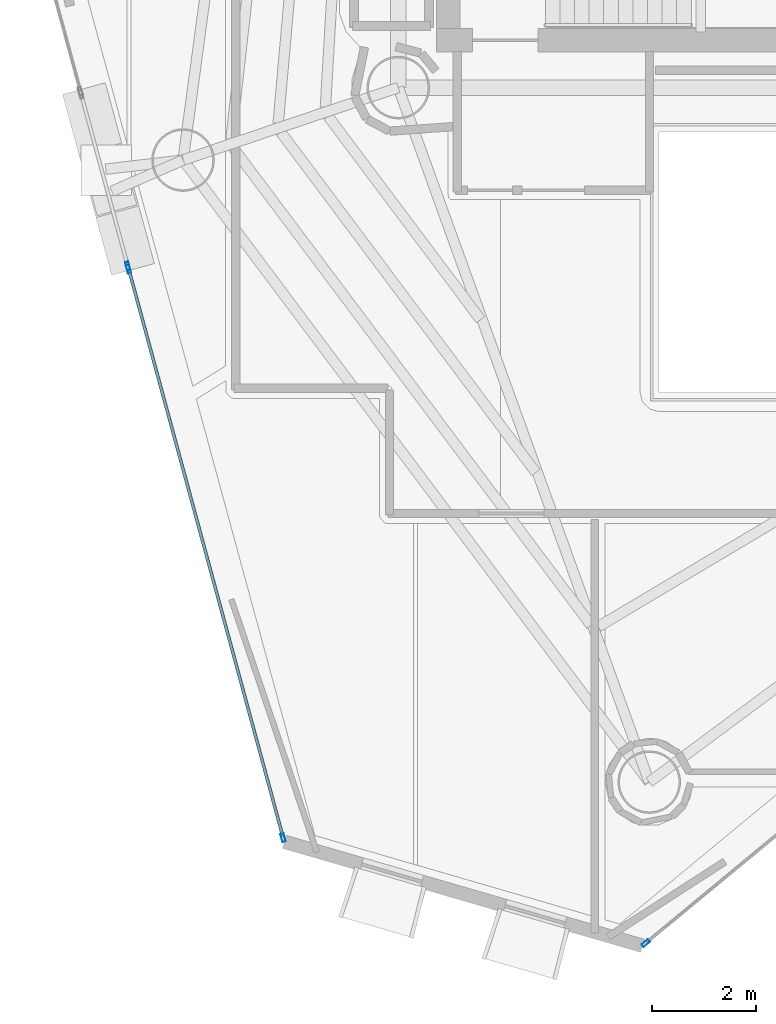
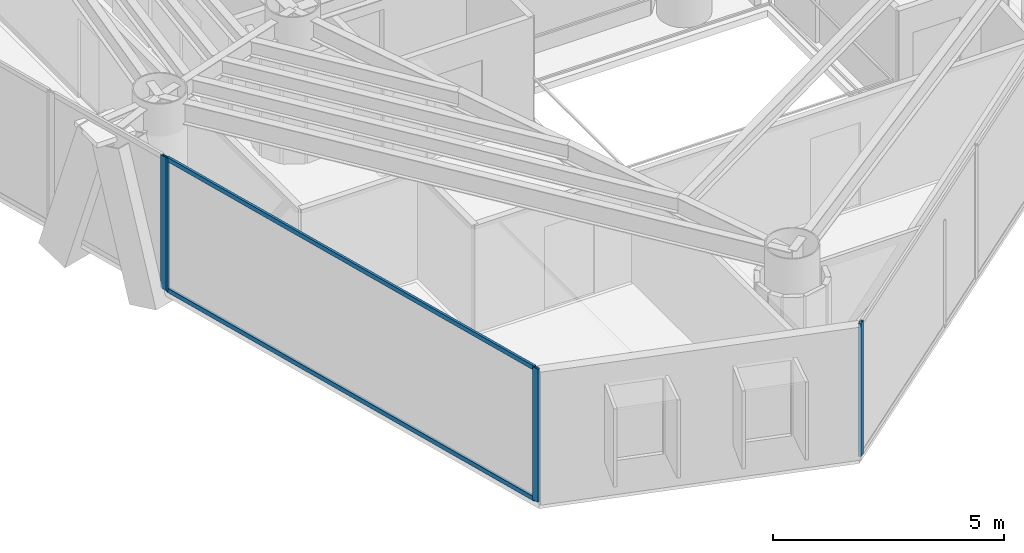
# One storey, part 2 of 21: 6 members, 3 elements without a shape of their own.
"""IFC4 building model written with IfcOpenShell, lengths in metres."""

from ifc_helpers import new_model, si_unit, direction, frame, origin, origin_2d, place, context, subcontext, project, spatial, hollow_rectangle, extrude, material, layer, layer_set, material_profile, profile_set, type_object, element, aggregate, save


model = new_model("IFC4")

# Units and contexts
model_context = context("Model", 3, precision=1e-05, world=origin(), true_north=direction((0.0, 1.0)))
body_context = subcontext(model_context, "Body", "Model", "MODEL_VIEW")
ifc_project = project(units=[si_unit("LENGTHUNIT", "METRE"), si_unit("AREAUNIT", "SQUARE_METRE"), si_unit("VOLUMEUNIT", "CUBIC_METRE"), si_unit("PLANEANGLEUNIT", "RADIAN"), si_unit("MASSUNIT", "GRAM", prefix="KILO")], contexts=[model_context])

# Site, building, storey
site_placement = place(None, origin())
site = spatial("IfcSite", under=ifc_project, at=site_placement, CompositionType="ELEMENT")
building_placement = place(site_placement, origin())
building = spatial("IfcBuilding", under=site, at=building_placement, Name="Qianvela Tower", CompositionType="ELEMENT")
storey_placement = place(building_placement, frame((0.0, 0.0, 211.39990234375)))
storey = spatial("IfcBuildingStorey", under=building, at=storey_placement, Name="L54", CompositionType="ELEMENT", Elevation=211.39990234375)

# Curtain wall, member
ifc_material_1 = material(Name="Anodised Architectural Aluminium and Insulated Spandrel Panel", Category="aluminium")
ifc_layer_1 = layer(ifc_material_1, 0.179931640625)
ifc_layer_set_1 = layer_set([ifc_layer_1], Name="Anodised Architectural Aluminium and Insulated Spandrel Panel")
curtain_wall_type_1 = type_object("IfcCurtainWallType", Name="CW-BRACEBAY", PredefinedType="USERDEFINED", material=ifc_layer_set_1)
curtain_wall_1_placement = place(storey_placement, origin())
curtain_wall_1 = element("IfcCurtainWall", 1, at=curtain_wall_1_placement, inside=storey, type_object=curtain_wall_type_1, Name="L54 CW-BRACEBAY Curtain Wall 04B", ObjectType="CURTAIN_WALL_SYSTEM", PredefinedType="USERDEFINED")
ifc_material_2 = material(Name="Anodised Architectural Aluminium 6063-T6", Category="aluminium")
ifc_material_profile_1 = material_profile(ifc_material_2, hollow_rectangle(XDim=0.06494140625, YDim=0.159912109375, WallThickness=0.0048828125, at=origin_2d()), Name="ALU-MULL-65x160")
ifc_profile_set_1 = profile_set([ifc_material_profile_1], Name="Anodised Architectural Aluminium 6063-T6")
member_type_1 = type_object("IfcMemberType", Name="CW-BRACEBAY-MULL", PredefinedType="MULLION", material=ifc_profile_set_1)
member_1_placement = place(storey_placement, frame((23.4111328125, 20.431640625, 0.0), z_axis=(0.0, 0.0, 1.0), x_axis=(0.965016092267, 0.262190658997, 0.0)))
member_1 = element("IfcMember", 2, at=member_1_placement, type_object=member_type_1, Name="CW-9 mullion 2", PredefinedType="MULLION", context=body_context, shape_type="SweptSolid", body=[
    extrude(hollow_rectangle(XDim=0.06494140625, YDim=0.159912109375, WallThickness=0.0048828125, at=origin_2d()), origin(), (0.0, 0.0, 1.0), 3.52001953125),
])
aggregate(curtain_wall_1, [member_1])

# Curtain wall, members
ifc_material_3 = material(Name="Anodised Architectural Aluminium and Low-E Glass", Category="aluminium")
ifc_layer_2 = layer(ifc_material_3, 0.159912109375)
ifc_layer_set_2 = layer_set([ifc_layer_2], Name="Anodised Architectural Aluminium and Low-E Glass")
curtain_wall_type_2 = type_object("IfcCurtainWallType", Name="CW-COLIV-Z56", PredefinedType="USERDEFINED", material=ifc_layer_set_2)
curtain_wall_2_placement = place(storey_placement, origin())
curtain_wall_2 = element("IfcCurtainWall", 3, at=curtain_wall_2_placement, inside=storey, type_object=curtain_wall_type_2, Name="L54 CW-COLIV-Z56 Curtain Wall 04C", ObjectType="CURTAIN_WALL_SYSTEM", PredefinedType="USERDEFINED")
ifc_material_4 = material(Name="Anodised Architectural Aluminium 6063-T6", Category="aluminium")
ifc_material_profile_2 = material_profile(ifc_material_4, hollow_rectangle(XDim=0.06494140625, YDim=0.159912109375, WallThickness=0.0048828125, at=origin_2d()), Name="ALU-MULL-65x160")
ifc_profile_set_2 = profile_set([ifc_material_profile_2], Name="Anodised Architectural Aluminium 6063-T6")
member_type_2 = type_object("IfcMemberType", Name="CW-COLIV-Z56-MULL", PredefinedType="MULLION", material=ifc_profile_set_2)
member_2_placement = place(storey_placement, frame((23.42822265625, 20.368896484375, 0.0), z_axis=(0.0, 0.0, 1.0), x_axis=(0.965015755741, 0.26219189761, 0.0)))
member_2 = element("IfcMember", 4, at=member_2_placement, type_object=member_type_2, Name="CW-5 mullion 1", PredefinedType="MULLION", context=body_context, shape_type="SweptSolid", body=[
    extrude(hollow_rectangle(XDim=0.06494140625, YDim=0.159912109375, WallThickness=0.0048828125, at=origin_2d()), origin(), (0.0, 0.0, 1.0), 3.52001953125),
])
member_3_placement = place(storey_placement, frame((26.39111328125, 9.463623046875, 0.0), z_axis=(0.0, 0.0, 1.0), x_axis=(0.965015755741, 0.26219189761, 0.0)))
member_3 = element("IfcMember", 5, at=member_3_placement, type_object=member_type_2, Name="CW-5 mullion 2", PredefinedType="MULLION", context=body_context, shape_type="SweptSolid", body=[
    extrude(hollow_rectangle(XDim=0.06494140625, YDim=0.159912109375, WallThickness=0.0048828125, at=origin_2d()), origin(), (0.0, 0.0, 1.0), 3.52001953125),
])

# Curtain wall, member
curtain_wall_3_placement = place(storey_placement, origin())
curtain_wall_3 = element("IfcCurtainWall", 6, at=curtain_wall_3_placement, inside=storey, type_object=curtain_wall_type_2, Name="L54 CW-COLIV-Z56 Curtain Wall 06A", ObjectType="CURTAIN_WALL_SYSTEM", PredefinedType="USERDEFINED")
member_4_placement = place(storey_placement, frame((33.34716796875, 7.44189453125, 0.0), z_axis=(0.0, 0.0, 1.0), x_axis=(-0.636795481319, 0.771032758689, 0.0)))
member_4 = element("IfcMember", 7, at=member_4_placement, type_object=member_type_2, Name="CW-5 mullion 1", PredefinedType="MULLION", context=body_context, shape_type="SweptSolid", body=[
    extrude(hollow_rectangle(XDim=0.06494140625, YDim=0.159912109375, WallThickness=0.0048828125, at=origin_2d()), origin(), (0.0, 0.0, 1.0), 3.52001953125),
])
aggregate(curtain_wall_3, [member_4])

# Member
ifc_material_5 = material(Name="Anodised Architectural Aluminium 6063-T6", Category="aluminium")
ifc_material_profile_3 = material_profile(ifc_material_5, hollow_rectangle(XDim=0.06005859375, YDim=0.114990234375, WallThickness=0.00390625, at=origin_2d()), Name="ALU-TRAN-60x115")
ifc_profile_set_3 = profile_set([ifc_material_profile_3], Name="Anodised Architectural Aluminium 6063-T6")
member_type_3 = type_object("IfcMemberType", Name="CW-COLIV-Z56-TRAN", PredefinedType="USERDEFINED", material=ifc_profile_set_3)
member_5_placement = place(storey_placement, frame((23.436767578125, 20.337646484375, 0.030029296875), z_axis=(0.262179600582, -0.965019096722, 0.0), x_axis=(0.965019096722, 0.262179600582, 0.0)))
member_5 = element("IfcMember", 8, at=member_5_placement, type_object=member_type_3, Name="CW-5 transom 1.1", ObjectType="TRANSOM", PredefinedType="USERDEFINED", context=body_context, shape_type="SweptSolid", body=[
    extrude(hollow_rectangle(XDim=0.06005859375, YDim=0.114990234375, WallThickness=0.00390625, at=origin_2d()), origin(), (0.0, 0.0, 1.0), 11.23583984375),
])

member_6_placement = place(storey_placement, frame((23.436767578125, 20.337646484375, 3.489990234375), z_axis=(0.262179600582, -0.965019096722, 0.0), x_axis=(0.965019096722, 0.262179600582, 0.0)))
member_6 = element("IfcMember", 9, at=member_6_placement, type_object=member_type_3, Name="CW-5 transom 1.2", ObjectType="TRANSOM", PredefinedType="USERDEFINED", context=body_context, shape_type="SweptSolid", body=[
    extrude(hollow_rectangle(XDim=0.06005859375, YDim=0.114990234375, WallThickness=0.00390625, at=origin_2d()), origin(), (0.0, 0.0, 1.0), 11.23583984375),
])

aggregate(curtain_wall_2, [member_2, member_3, member_5, member_6])

save(model, "model.ifc")
